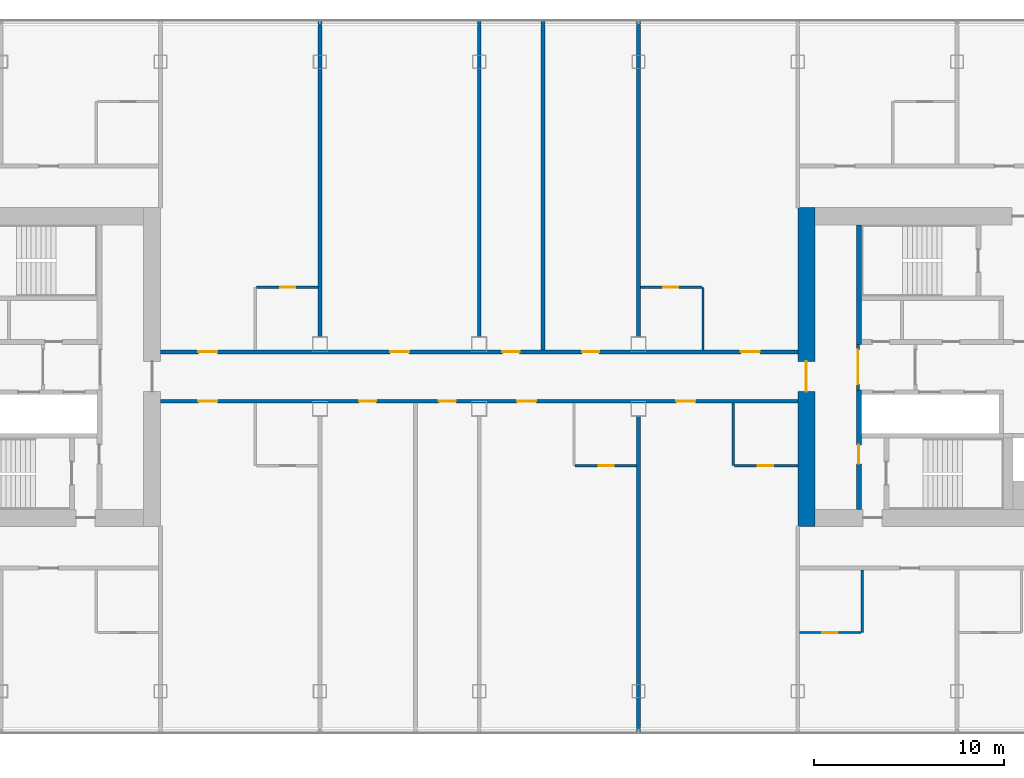
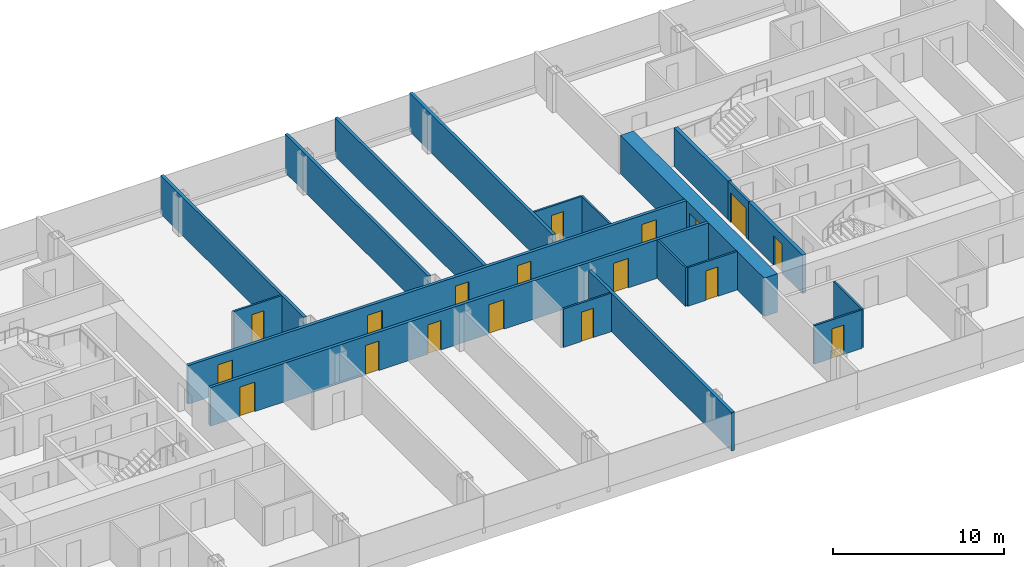
# One storey, part 14 of 26: 19 walls, 18 doors, 18 openings.
"""IFC4 building model written with IfcOpenShell, lengths in metres."""

from ifc_helpers import new_model, si_unit, direction, frame, frame_2d, origin, place, context, subcontext, project, spatial, rectangle, extrude, material, layer, layer_set, type_object, element, fill, save


model = new_model("IFC4")

# Units and contexts
model_context = context("Model", 3, precision=1e-05, world=origin(), true_north=direction((0.0, 1.0)))
body_context = subcontext(model_context, "Body", "Model", "MODEL_VIEW")
ifc_project = project(units=[si_unit("LENGTHUNIT", "METRE"), si_unit("AREAUNIT", "SQUARE_METRE"), si_unit("VOLUMEUNIT", "CUBIC_METRE"), si_unit("PLANEANGLEUNIT", "RADIAN"), si_unit("MASSUNIT", "GRAM", prefix="KILO")], contexts=[model_context])

# Site, building, storey
site_placement = place(None, origin())
site = spatial("IfcSite", under=ifc_project, at=site_placement, CompositionType="ELEMENT")
building_placement = place(site_placement, origin())
building = spatial("IfcBuilding", under=site, at=building_placement, Name="Hakoniwa Tower and Hamabe Station Hall", CompositionType="ELEMENT")
storey_placement = place(building_placement, frame((0.0, 0.0, 131.0)))
storey = spatial("IfcBuildingStorey", under=building, at=storey_placement, Name="L36", CompositionType="ELEMENT", Elevation=131.0)

# Wall, opening, door
ifc_material_1 = material(Name="Gypsum board partition", Category="gypsum")
ifc_layer_1 = layer(ifc_material_1, 0.125)
ifc_layer_set_1 = layer_set([ifc_layer_1], Name="Bathroom Partition 125")
wall_type_1 = type_object("IfcWallType", Name="Bathroom Partition 125", PredefinedType="PARTITIONING", material=ifc_layer_set_1)
wall_1_placement = place(storey_placement, frame((16.89990234375, -14.0, 0.0), z_axis=(0.0, 0.0, 1.0), x_axis=(1.0, 0.0, 0.0)))
wall_1 = element("IfcWall", 1, at=wall_1_placement, inside=storey, type_object=wall_type_1, Name="GW-L36-004", PredefinedType="PARTITIONING", context=body_context, shape_type="SweptSolid", body=[
    extrude(rectangle(XDim=3.237548828125, YDim=0.125, at=frame_2d((1.61865234375, 0.0))), origin(), (0.0, 0.0, 1.0), 2.75),
])
opening_1_placement = place(wall_1_placement, frame((1.199951171875, 0.0, 0.0)))
opening_1 = element("IfcOpeningElement", 2, at=opening_1_placement, cuts=wall_1, Name="Opening GD-G3A0-04", PredefinedType="OPENING", context=body_context, shape_type="SweptSolid", body=[
    extrude(rectangle(XDim=0.800048828125, YDim=2.10009765625, at=frame_2d((0.39990234375, 1.050048828125))), frame((0.0, 0.072509765625, 0.0), z_axis=(0.0, -1.0, 0.0), x_axis=(1.0, 0.0, 0.0)), (0.0, 0.0, 1.0), 0.14501953125),
])
ifc_material_2 = material(Name="Timber door leaf", Category="wood")
door_type_1 = type_object("IfcDoorType", Name="Bathroom Door 800", OperationType="SINGLE_SWING_LEFT", PredefinedType="DOOR", material=ifc_material_2)
door_1_placement = place(opening_1_placement, origin())
door_1 = element("IfcDoor", 3, at=door_1_placement, inside=storey, type_object=door_type_1, Name="Door GD-G3A0-04", OperationType="SINGLE_SWING_RIGHT", OverallHeight=2.10009765625, OverallWidth=0.800048828125, PredefinedType="DOOR", context=body_context, shape_type="SweptSolid", body=[
    extrude(rectangle(XDim=0.800048828125, YDim=2.10009765625, at=frame_2d((0.39990234375, 1.050048828125))), frame((0.0, 0.02490234375, 0.0), z_axis=(0.0, -1.0, 0.0), x_axis=(1.0, 0.0, 0.0)), (0.0, 0.0, 1.0), 0.050048828125),
])
fill(opening_1, door_1)

wall_2_placement = place(storey_placement, frame((5.0625, -5.199951171875, 0.0), z_axis=(0.0, 0.0, 1.0), x_axis=(1.0, 0.0, 0.0)))
wall_2 = element("IfcWall", 4, at=wall_2_placement, inside=storey, type_object=wall_type_1, Name="GW-L36-012", PredefinedType="PARTITIONING", context=body_context, shape_type="SweptSolid", body=[
    extrude(rectangle(XDim=3.237548828125, YDim=0.125, at=frame_2d((1.61865234375, 0.0))), origin(), (0.0, 0.0, 1.0), 2.75),
])
opening_2_placement = place(wall_2_placement, frame((1.237548828125, 0.0, 0.0)))
opening_2 = element("IfcOpeningElement", 5, at=opening_2_placement, cuts=wall_2, Name="Opening GD-G3A0-18", PredefinedType="OPENING", context=body_context, shape_type="SweptSolid", body=[
    extrude(rectangle(XDim=0.800048828125, YDim=2.10009765625, at=frame_2d((0.39990234375, 1.050048828125))), frame((0.0, 0.072509765625, 0.0), z_axis=(0.0, -1.0, 0.0), x_axis=(1.0, 0.0, 0.0)), (0.0, 0.0, 1.0), 0.14501953125),
])
door_2_placement = place(opening_2_placement, origin())
door_2 = element("IfcDoor", 6, at=door_2_placement, inside=storey, type_object=door_type_1, Name="Door GD-G3A0-18", OperationType="SINGLE_SWING_LEFT", OverallHeight=2.10009765625, OverallWidth=0.800048828125, PredefinedType="DOOR", context=body_context, shape_type="SweptSolid", body=[
    extrude(rectangle(XDim=0.800048828125, YDim=2.10009765625, at=frame_2d((0.39990234375, 1.050048828125))), frame((0.0, 0.02490234375, 0.0), z_axis=(0.0, -1.0, 0.0), x_axis=(1.0, 0.0, 0.0)), (0.0, 0.0, 1.0), 0.050048828125),
])
fill(opening_2, door_2)

wall_3_placement = place(storey_placement, frame((13.46240234375, -5.199951171875, 0.0), z_axis=(0.0, 0.0, 1.0), x_axis=(1.0, 0.0, 0.0)))
wall_3 = element("IfcWall", 7, at=wall_3_placement, inside=storey, type_object=wall_type_1, Name="GW-L36-013", PredefinedType="PARTITIONING", context=body_context, shape_type="SweptSolid", body=[
    extrude(rectangle(XDim=3.34765625, YDim=0.125, at=frame_2d((1.673828125, 0.0))), origin(), (0.0, 0.0, 1.0), 2.75),
])
opening_3_placement = place(wall_3_placement, frame((1.237548828125, 0.0, 0.0)))
opening_3 = element("IfcOpeningElement", 8, at=opening_3_placement, cuts=wall_3, Name="Opening GD-G3A0-19", PredefinedType="OPENING", context=body_context, shape_type="SweptSolid", body=[
    extrude(rectangle(XDim=0.800048828125, YDim=2.10009765625, at=frame_2d((0.39990234375, 1.050048828125))), frame((0.0, 0.072509765625, 0.0), z_axis=(0.0, -1.0, 0.0), x_axis=(1.0, 0.0, 0.0)), (0.0, 0.0, 1.0), 0.14501953125),
])
door_3_placement = place(opening_3_placement, origin())
door_3 = element("IfcDoor", 9, at=door_3_placement, inside=storey, type_object=door_type_1, Name="Door GD-G3A0-19", OperationType="SINGLE_SWING_RIGHT", OverallHeight=2.10009765625, OverallWidth=0.800048828125, PredefinedType="DOOR", context=body_context, shape_type="SweptSolid", body=[
    extrude(rectangle(XDim=0.800048828125, YDim=2.10009765625, at=frame_2d((0.39990234375, 1.050048828125))), frame((0.0, 0.02490234375, 0.0), z_axis=(0.0, -1.0, 0.0), x_axis=(1.0, 0.0, 0.0)), (0.0, 0.0, 1.0), 0.050048828125),
])
fill(opening_3, door_3)

wall_4_placement = place(storey_placement, frame((-11.737548828125, 4.199951171875, 0.0), z_axis=(0.0, 0.0, 1.0), x_axis=(1.0, 0.0, 0.0)))
wall_4 = element("IfcWall", 10, at=wall_4_placement, inside=storey, type_object=wall_type_1, Name="GW-L36-018", PredefinedType="PARTITIONING", context=body_context, shape_type="SweptSolid", body=[
    extrude(rectangle(XDim=3.237548828125, YDim=0.125, at=frame_2d((1.61865234375, 0.0))), origin(), (0.0, 0.0, 1.0), 2.75),
])
opening_4_placement = place(wall_4_placement, frame((1.237548828125, 0.0, 0.0)))
opening_4 = element("IfcOpeningElement", 11, at=opening_4_placement, cuts=wall_4, Name="Opening GD-G3A0-30", PredefinedType="OPENING", context=body_context, shape_type="SweptSolid", body=[
    extrude(rectangle(XDim=0.800048828125, YDim=2.10009765625, at=frame_2d((0.39990234375, 1.050048828125))), frame((0.0, 0.072509765625, 0.0), z_axis=(0.0, -1.0, 0.0), x_axis=(1.0, 0.0, 0.0)), (0.0, 0.0, 1.0), 0.14501953125),
])
door_4_placement = place(opening_4_placement, origin())
door_4 = element("IfcDoor", 12, at=door_4_placement, inside=storey, type_object=door_type_1, Name="Door GD-G3A0-30", OperationType="SINGLE_SWING_RIGHT", OverallHeight=2.10009765625, OverallWidth=0.800048828125, PredefinedType="DOOR", context=body_context, shape_type="SweptSolid", body=[
    extrude(rectangle(XDim=0.800048828125, YDim=2.10009765625, at=frame_2d((0.39990234375, 1.050048828125))), frame((0.0, 0.02490234375, 0.0), z_axis=(0.0, -1.0, 0.0), x_axis=(1.0, 0.0, 0.0)), (0.0, 0.0, 1.0), 0.050048828125),
])
fill(opening_4, door_4)

wall_5_placement = place(storey_placement, frame((8.5, 4.199951171875, 0.0), z_axis=(0.0, 0.0, 1.0), x_axis=(1.0, 0.0, 0.0)))
wall_5 = element("IfcWall", 13, at=wall_5_placement, inside=storey, type_object=wall_type_1, Name="GW-L36-019", PredefinedType="PARTITIONING", context=body_context, shape_type="SweptSolid", body=[
    extrude(rectangle(XDim=3.237548828125, YDim=0.125, at=frame_2d((1.61865234375, 0.0))), origin(), (0.0, 0.0, 1.0), 2.75),
])
opening_5_placement = place(wall_5_placement, frame((1.199951171875, 0.0, 0.0)))
opening_5 = element("IfcOpeningElement", 14, at=opening_5_placement, cuts=wall_5, Name="Opening GD-G3A0-31", PredefinedType="OPENING", context=body_context, shape_type="SweptSolid", body=[
    extrude(rectangle(XDim=0.800048828125, YDim=2.10009765625, at=frame_2d((0.39990234375, 1.050048828125))), frame((0.0, 0.072509765625, 0.0), z_axis=(0.0, -1.0, 0.0), x_axis=(1.0, 0.0, 0.0)), (0.0, 0.0, 1.0), 0.14501953125),
])
door_5_placement = place(opening_5_placement, origin())
door_5 = element("IfcDoor", 15, at=door_5_placement, inside=storey, type_object=door_type_1, Name="Door GD-G3A0-31", OperationType="SINGLE_SWING_LEFT", OverallHeight=2.10009765625, OverallWidth=0.800048828125, PredefinedType="DOOR", context=body_context, shape_type="SweptSolid", body=[
    extrude(rectangle(XDim=0.800048828125, YDim=2.10009765625, at=frame_2d((0.39990234375, 1.050048828125))), frame((0.0, 0.02490234375, 0.0), z_axis=(0.0, -1.0, 0.0), x_axis=(1.0, 0.0, 0.0)), (0.0, 0.0, 1.0), 0.050048828125),
])
fill(opening_5, door_5)

# Walls
for number, where, z_axis, x_axis, name in (
    (16, (11.800048828125, 0.89990234375, 0.0), (0.0, 0.0, 1.0), (0.0, 1.0, 0.0), "GW-L36-056"),
    (17, (13.39990234375, -5.199951171875, 0.0), (0.0, 0.0, 1.0), (0.0, 1.0, 0.0), "GW-L36-057"),
    (18, (20.199951171875, -14.0, 0.0), (0.0, 0.0, 1.0), (0.0, 1.0, 0.0), "GW-L36-060"),
):
    element("IfcWall", number, at=place(storey_placement, frame(where, z_axis=z_axis, x_axis=x_axis)), inside=storey, type_object=wall_type_1, Name=name, PredefinedType="PARTITIONING", context=body_context, shape_type="SweptSolid", body=[
        extrude(rectangle(XDim=3.300048828125, YDim=0.125, at=frame_2d((1.64990234375, 0.0))), origin(), (0.0, 0.0, 1.0), 2.75),
    ])

# Wall, opening, door
ifc_material_3 = material(Name="Gypsum board partition")
ifc_layer_2 = layer(ifc_material_3, 0.14990234375)
ifc_layer_set_2 = layer_set([ifc_layer_2], Name="CORE PARTITION 150 EI 60")
wall_type_2 = type_object("IfcWallType", Name="CORE PARTITION 150 EI 60", PredefinedType="PARTITIONING", material=ifc_layer_set_2)
wall_6_placement = place(storey_placement, frame((19.97509765625, -1.199951171875, 0.0), z_axis=(0.0, 0.0, 1.0), x_axis=(0.0, 1.0, 0.0)))
wall_6 = element("IfcWall", 19, at=wall_6_placement, inside=storey, type_object=wall_type_2, Name="Core partition PL0 east", PredefinedType="PARTITIONING", context=body_context, shape_type="SweptSolid", body=[
    extrude(rectangle(XDim=2.39990234375, YDim=0.14990234375, at=frame_2d((1.199951171875, 0.0))), origin(), (0.0, 0.0, 1.0), 2.75),
])
opening_6_placement = place(wall_6_placement, frame((0.300048828125, 0.0, 0.0)))
opening_6 = element("IfcOpeningElement", 20, at=opening_6_placement, cuts=wall_6, Name="Opening CD-E-LP0-18", PredefinedType="OPENING", context=body_context, shape_type="SweptSolid", body=[
    extrude(rectangle(XDim=1.800048828125, YDim=2.10009765625, at=frame_2d((0.89990234375, 1.050048828125))), frame((0.0, 0.0849609375, 0.0), z_axis=(0.0, -1.0, 0.0), x_axis=(1.0, 0.0, 0.0)), (0.0, 0.0, 1.0), 0.169921875),
])
ifc_material_4 = material(Name="Steel fire door", Category="steel")
door_type_2 = type_object("IfcDoorType", Name="CORE DOOR 1800 FD60", OperationType="DOUBLE_DOOR_SINGLE_SWING", PredefinedType="DOOR", material=ifc_material_4)
door_6_placement = place(opening_6_placement, origin())
door_6 = element("IfcDoor", 21, at=door_6_placement, inside=storey, type_object=door_type_2, Name="Lift lobby partition door", OperationType="DOUBLE_DOOR_SINGLE_SWING", OverallHeight=2.10009765625, OverallWidth=1.800048828125, PredefinedType="DOOR", context=body_context, shape_type="SweptSolid", body=[
    extrude(rectangle(XDim=1.800048828125, YDim=2.10009765625, at=frame_2d((0.89990234375, 1.050048828125))), frame((0.0, 0.02490234375, 0.0), z_axis=(0.0, -1.0, 0.0), x_axis=(1.0, 0.0, 0.0)), (0.0, 0.0, 1.0), 0.050048828125),
])
fill(opening_6, door_6)

ifc_material_5 = material(Name="Concrete C66", Category="concrete")
ifc_layer_3 = layer(ifc_material_5, 0.89990234375)
ifc_layer_set_3 = layer_set([ifc_layer_3], Name="CORE WALL 900 C66")
wall_type_3 = type_object("IfcWallType", Name="CORE WALL 900 C66", PredefinedType="SHEAR", material=ifc_layer_set_3)
wall_7_placement = place(storey_placement, frame((17.25, -8.39990234375, 0.0), z_axis=(0.0, 0.0, 1.0), x_axis=(0.0, 1.0, 0.0)))
wall_7 = element("IfcWall", 22, at=wall_7_placement, inside=storey, type_object=wall_type_3, Name="Core wall INNER east", PredefinedType="SHEAR", context=body_context, shape_type="SweptSolid", body=[
    extrude(rectangle(XDim=16.7998046875, YDim=0.89990234375, at=frame_2d((8.39990234375, 0.0))), origin(), (0.0, 0.0, 1.0), 2.75),
])
opening_7_placement = place(wall_7_placement, frame((7.10009765625, 0.0, 0.0)))
opening_7 = element("IfcOpeningElement", 23, at=opening_7_placement, cuts=wall_7, Name="Opening CD-E-IN1-16", PredefinedType="OPENING", context=body_context, shape_type="SweptSolid", body=[
    extrude(rectangle(XDim=1.60009765625, YDim=2.10009765625, at=frame_2d((0.800048828125, 1.050048828125))), frame((0.0, 0.4599609375, 0.0), z_axis=(0.0, -1.0, 0.0), x_axis=(1.0, 0.0, 0.0)), (0.0, 0.0, 1.0), 0.919921875),
])
ifc_material_6 = material(Name="Steel fire door", Category="steel")
door_type_3 = type_object("IfcDoorType", Name="CORE DOOR 1600 FD60", OperationType="DOUBLE_DOOR_SINGLE_SWING", PredefinedType="DOOR", material=ifc_material_6)
door_7_placement = place(opening_7_placement, origin())
door_7 = element("IfcDoor", 24, at=door_7_placement, inside=storey, type_object=door_type_3, Name="Lift lobby door", OperationType="DOUBLE_DOOR_SINGLE_SWING", OverallHeight=2.10009765625, OverallWidth=1.60009765625, PredefinedType="DOOR", context=body_context, shape_type="SweptSolid", body=[
    extrude(rectangle(XDim=1.60009765625, YDim=2.10009765625, at=frame_2d((0.800048828125, 1.050048828125))), frame((0.0, 0.02490234375, 0.0), z_axis=(0.0, -1.0, 0.0), x_axis=(1.0, 0.0, 0.0)), (0.0, 0.0, 1.0), 0.050048828125),
])
fill(opening_7, door_7)

# Wall
ifc_material_7 = material(Name="Concrete C66", Category="concrete")
ifc_layer_4 = layer(ifc_material_7, 0.25)
ifc_layer_set_4 = layer_set([ifc_layer_4], Name="CORE WEB WALL 250 C66")
wall_type_4 = type_object("IfcWallType", Name="CORE WEB WALL 250 C66", PredefinedType="SHEAR", material=ifc_layer_set_4)
wall_8_placement = place(storey_placement, frame((20.02490234375, 1.199951171875, 0.0), z_axis=(0.0, 0.0, 1.0), x_axis=(0.0, 1.0, 0.0)))
element("IfcWall", 25, at=wall_8_placement, inside=storey, type_object=wall_type_4, Name="Core wall W1N east", PredefinedType="SHEAR", context=body_context, shape_type="SweptSolid", body=[
    extrude(rectangle(XDim=6.300048828125, YDim=0.25, at=frame_2d((3.14990234375, 0.0))), origin(), (0.0, 0.0, 1.0), 2.75),
])

# Wall, opening, door
wall_9_placement = place(storey_placement, frame((20.02490234375, -7.5, 0.0), z_axis=(0.0, 0.0, 1.0), x_axis=(0.0, 1.0, 0.0)))
wall_9 = element("IfcWall", 26, at=wall_9_placement, inside=storey, type_object=wall_type_4, Name="Core wall W1S east", PredefinedType="SHEAR", context=body_context, shape_type="SweptSolid", body=[
    extrude(rectangle(XDim=6.300048828125, YDim=0.25, at=frame_2d((3.14990234375, 0.0))), origin(), (0.0, 0.0, 1.0), 2.75),
])
opening_8_placement = place(wall_9_placement, frame((2.39990234375, 0.0, 0.0)))
opening_8 = element("IfcOpeningElement", 27, at=opening_8_placement, cuts=wall_9, Name="Opening CD-E-VS-10", PredefinedType="OPENING", context=body_context, shape_type="SweptSolid", body=[
    extrude(rectangle(XDim=1.0, YDim=2.10009765625, at=frame_2d((0.5, 1.050048828125))), frame((0.0, 0.135009765625, 0.0), z_axis=(0.0, -1.0, 0.0), x_axis=(1.0, 0.0, 0.0)), (0.0, 0.0, 1.0), 0.27001953125),
])
ifc_material_8 = material(Name="Steel fire door", Category="steel")
door_type_4 = type_object("IfcDoorType", Name="CORE DOOR 1000 FD60", OperationType="NOTDEFINED", PredefinedType="DOOR", material=ifc_material_8)
door_8_placement = place(opening_8_placement, origin())
door_8 = element("IfcDoor", 28, at=door_8_placement, inside=storey, type_object=door_type_4, Name="Stair vestibule door", OperationType="SINGLE_SWING_RIGHT", OverallHeight=2.10009765625, OverallWidth=1.0, PredefinedType="DOOR", context=body_context, shape_type="SweptSolid", body=[
    extrude(rectangle(XDim=1.0, YDim=2.10009765625, at=frame_2d((0.5, 1.050048828125))), frame((0.0, 0.02490234375, 0.0), z_axis=(0.0, -1.0, 0.0), x_axis=(1.0, 0.0, 0.0)), (0.0, 0.0, 1.0), 0.050048828125),
])
fill(opening_8, door_8)

# Wall, openings, doors
ifc_material_9 = material(Name="Fire-rated gypsum board partition", Category="gypsum")
ifc_layer_5 = layer(ifc_material_9, 0.199951171875)
ifc_layer_set_5 = layer_set([ifc_layer_5], Name="Corridor Wall 200")
wall_type_5 = type_object("IfcWallType", Name="Corridor Wall 200", PredefinedType="PARTITIONING", material=ifc_layer_set_5)
wall_10_placement = place(storey_placement, frame((-16.800048828125, -1.800048828125, 0.0), z_axis=(0.0, 0.0, 1.0), x_axis=(1.0, 0.0, 0.0)))
wall_10 = element("IfcWall", 29, at=wall_10_placement, inside=storey, type_object=wall_type_5, Name="GW-L36-014", PredefinedType="PARTITIONING", context=body_context, shape_type="SweptSolid", body=[
    extrude(rectangle(XDim=33.60009765625, YDim=0.199951171875, at=frame_2d((16.800048828125, 0.0))), origin(), (0.0, 0.0, 1.0), 2.75),
])
opening_9_placement = place(wall_10_placement, frame((2.0, 0.0, 0.0)))
opening_9 = element("IfcOpeningElement", 30, at=opening_9_placement, cuts=wall_10, Name="Opening GD-G3A0-20", PredefinedType="OPENING", context=body_context, shape_type="SweptSolid", body=[
    extrude(rectangle(XDim=1.0, YDim=2.10009765625, at=frame_2d((0.5, 1.050048828125))), frame((0.0, 0.10986328125, 0.0), z_axis=(0.0, -1.0, 0.0), x_axis=(1.0, 0.0, 0.0)), (0.0, 0.0, 1.0), 0.219970703125),
])
opening_10_placement = place(wall_10_placement, frame((10.469970703125, 0.0, 0.0)))
opening_10 = element("IfcOpeningElement", 31, at=opening_10_placement, cuts=wall_10, Name="Opening GD-G3A0-21", PredefinedType="OPENING", context=body_context, shape_type="SweptSolid", body=[
    extrude(rectangle(XDim=0.89990234375, YDim=2.10009765625, at=frame_2d((0.449951171875, 1.050048828125))), frame((0.0, 0.10986328125, 0.0), z_axis=(0.0, -1.0, 0.0), x_axis=(1.0, 0.0, 0.0)), (0.0, 0.0, 1.0), 0.219970703125),
])
opening_11_placement = place(wall_10_placement, frame((14.669921875, 0.0, 0.0)))
opening_11 = element("IfcOpeningElement", 32, at=opening_11_placement, cuts=wall_10, Name="Opening GD-G3A0-22", PredefinedType="OPENING", context=body_context, shape_type="SweptSolid", body=[
    extrude(rectangle(XDim=0.89990234375, YDim=2.10009765625, at=frame_2d((0.449951171875, 1.050048828125))), frame((0.0, 0.10986328125, 0.0), z_axis=(0.0, -1.0, 0.0), x_axis=(1.0, 0.0, 0.0)), (0.0, 0.0, 1.0), 0.219970703125),
])
opening_12_placement = place(wall_10_placement, frame((18.800048828125, 0.0, 0.0)))
opening_12 = element("IfcOpeningElement", 33, at=opening_12_placement, cuts=wall_10, Name="Opening GD-G3A0-23", PredefinedType="OPENING", context=body_context, shape_type="SweptSolid", body=[
    extrude(rectangle(XDim=1.0, YDim=2.10009765625, at=frame_2d((0.5, 1.050048828125))), frame((0.0, 0.10986328125, 0.0), z_axis=(0.0, -1.0, 0.0), x_axis=(1.0, 0.0, 0.0)), (0.0, 0.0, 1.0), 0.219970703125),
])
opening_13_placement = place(wall_10_placement, frame((27.199951171875, 0.0, 0.0)))
opening_13 = element("IfcOpeningElement", 34, at=opening_13_placement, cuts=wall_10, Name="Opening GD-G3A0-24", PredefinedType="OPENING", context=body_context, shape_type="SweptSolid", body=[
    extrude(rectangle(XDim=1.0, YDim=2.10009765625, at=frame_2d((0.5, 1.050048828125))), frame((0.0, 0.10986328125, 0.0), z_axis=(0.0, -1.0, 0.0), x_axis=(1.0, 0.0, 0.0)), (0.0, 0.0, 1.0), 0.219970703125),
])
ifc_material_10 = material(Name="Timber door leaf", Category="wood")
door_type_5 = type_object("IfcDoorType", Name="Guest Entrance Door 1000", OperationType="SINGLE_SWING_LEFT", PredefinedType="DOOR", material=ifc_material_10)
door_9_placement = place(opening_9_placement, origin())
door_9 = element("IfcDoor", 35, at=door_9_placement, inside=storey, type_object=door_type_5, Name="Door GD-G3A0-20", OperationType="SINGLE_SWING_LEFT", OverallHeight=2.10009765625, OverallWidth=1.0, PredefinedType="DOOR", context=body_context, shape_type="SweptSolid", body=[
    extrude(rectangle(XDim=1.0, YDim=2.10009765625, at=frame_2d((0.5, 1.050048828125))), frame((0.0, 0.02490234375, 0.0), z_axis=(0.0, -1.0, 0.0), x_axis=(1.0, 0.0, 0.0)), (0.0, 0.0, 1.0), 0.050048828125),
])
fill(opening_9, door_9)
door_10_placement = place(opening_12_placement, origin())
door_10 = element("IfcDoor", 36, at=door_10_placement, inside=storey, type_object=door_type_5, Name="Door GD-G3A0-23", OperationType="SINGLE_SWING_RIGHT", OverallHeight=2.10009765625, OverallWidth=1.0, PredefinedType="DOOR", context=body_context, shape_type="SweptSolid", body=[
    extrude(rectangle(XDim=1.0, YDim=2.10009765625, at=frame_2d((0.5, 1.050048828125))), frame((0.0, 0.02490234375, 0.0), z_axis=(0.0, -1.0, 0.0), x_axis=(1.0, 0.0, 0.0)), (0.0, 0.0, 1.0), 0.050048828125),
])
fill(opening_12, door_10)
door_11_placement = place(opening_13_placement, origin())
door_11 = element("IfcDoor", 37, at=door_11_placement, inside=storey, type_object=door_type_5, Name="Door GD-G3A0-24", OperationType="SINGLE_SWING_LEFT", OverallHeight=2.10009765625, OverallWidth=1.0, PredefinedType="DOOR", context=body_context, shape_type="SweptSolid", body=[
    extrude(rectangle(XDim=1.0, YDim=2.10009765625, at=frame_2d((0.5, 1.050048828125))), frame((0.0, 0.02490234375, 0.0), z_axis=(0.0, -1.0, 0.0), x_axis=(1.0, 0.0, 0.0)), (0.0, 0.0, 1.0), 0.050048828125),
])
fill(opening_13, door_11)
ifc_material_11 = material(Name="Timber door leaf", Category="wood")
door_type_6 = type_object("IfcDoorType", Name="Service Door 900", OperationType="SINGLE_SWING_LEFT", PredefinedType="DOOR", material=ifc_material_11)
door_12_placement = place(opening_10_placement, origin())
door_12 = element("IfcDoor", 38, at=door_12_placement, inside=storey, type_object=door_type_6, Name="Door GD-G3A0-21", OperationType="SINGLE_SWING_RIGHT", OverallHeight=2.10009765625, OverallWidth=0.89990234375, PredefinedType="DOOR", context=body_context, shape_type="SweptSolid", body=[
    extrude(rectangle(XDim=0.89990234375, YDim=2.10009765625, at=frame_2d((0.449951171875, 1.050048828125))), frame((0.0, 0.02490234375, 0.0), z_axis=(0.0, -1.0, 0.0), x_axis=(1.0, 0.0, 0.0)), (0.0, 0.0, 1.0), 0.050048828125),
])
fill(opening_10, door_12)
door_13_placement = place(opening_11_placement, origin())
door_13 = element("IfcDoor", 39, at=door_13_placement, inside=storey, type_object=door_type_6, Name="Door GD-G3A0-22", OperationType="SINGLE_SWING_LEFT", OverallHeight=2.10009765625, OverallWidth=0.89990234375, PredefinedType="DOOR", context=body_context, shape_type="SweptSolid", body=[
    extrude(rectangle(XDim=0.89990234375, YDim=2.10009765625, at=frame_2d((0.449951171875, 1.050048828125))), frame((0.0, 0.02490234375, 0.0), z_axis=(0.0, -1.0, 0.0), x_axis=(1.0, 0.0, 0.0)), (0.0, 0.0, 1.0), 0.050048828125),
])
fill(opening_11, door_13)

wall_11_placement = place(storey_placement, frame((-16.800048828125, 0.800048828125, 0.0), z_axis=(0.0, 0.0, 1.0), x_axis=(1.0, 0.0, 0.0)))
wall_11 = element("IfcWall", 40, at=wall_11_placement, inside=storey, type_object=wall_type_5, Name="GW-L36-017", PredefinedType="PARTITIONING", context=body_context, shape_type="SweptSolid", body=[
    extrude(rectangle(XDim=33.60009765625, YDim=0.199951171875, at=frame_2d((16.800048828125, 0.0))), origin(), (0.0, 0.0, 1.0), 2.75),
])
opening_14_placement = place(wall_11_placement, frame((2.0, 0.0, 0.0)))
opening_14 = element("IfcOpeningElement", 41, at=opening_14_placement, cuts=wall_11, Name="Opening GD-G3A0-25", PredefinedType="OPENING", context=body_context, shape_type="SweptSolid", body=[
    extrude(rectangle(XDim=1.0, YDim=2.10009765625, at=frame_2d((0.5, 1.050048828125))), frame((0.0, 0.10986328125, 0.0), z_axis=(0.0, -1.0, 0.0), x_axis=(1.0, 0.0, 0.0)), (0.0, 0.0, 1.0), 0.219970703125),
])
opening_15_placement = place(wall_11_placement, frame((12.10009765625, 0.0, 0.0)))
opening_15 = element("IfcOpeningElement", 42, at=opening_15_placement, cuts=wall_11, Name="Opening GD-G3A0-26", PredefinedType="OPENING", context=body_context, shape_type="SweptSolid", body=[
    extrude(rectangle(XDim=1.0, YDim=2.10009765625, at=frame_2d((0.5, 1.050048828125))), frame((0.0, 0.10986328125, 0.0), z_axis=(0.0, -1.0, 0.0), x_axis=(1.0, 0.0, 0.0)), (0.0, 0.0, 1.0), 0.219970703125),
])
opening_16_placement = place(wall_11_placement, frame((18.030029296875, 0.0, 0.0)))
opening_16 = element("IfcOpeningElement", 43, at=opening_16_placement, cuts=wall_11, Name="Opening GD-G3A0-27", PredefinedType="OPENING", context=body_context, shape_type="SweptSolid", body=[
    extrude(rectangle(XDim=0.89990234375, YDim=2.10009765625, at=frame_2d((0.449951171875, 1.050048828125))), frame((0.0, 0.10986328125, 0.0), z_axis=(0.0, -1.0, 0.0), x_axis=(1.0, 0.0, 0.0)), (0.0, 0.0, 1.0), 0.219970703125),
])
opening_17_placement = place(wall_11_placement, frame((22.22998046875, 0.0, 0.0)))
opening_17 = element("IfcOpeningElement", 44, at=opening_17_placement, cuts=wall_11, Name="Opening GD-G3A0-28", PredefinedType="OPENING", context=body_context, shape_type="SweptSolid", body=[
    extrude(rectangle(XDim=0.89990234375, YDim=2.10009765625, at=frame_2d((0.449951171875, 1.050048828125))), frame((0.0, 0.10986328125, 0.0), z_axis=(0.0, -1.0, 0.0), x_axis=(1.0, 0.0, 0.0)), (0.0, 0.0, 1.0), 0.219970703125),
])
opening_18_placement = place(wall_11_placement, frame((30.60009765625, 0.0, 0.0)))
opening_18 = element("IfcOpeningElement", 45, at=opening_18_placement, cuts=wall_11, Name="Opening GD-G3A0-29", PredefinedType="OPENING", context=body_context, shape_type="SweptSolid", body=[
    extrude(rectangle(XDim=1.0, YDim=2.10009765625, at=frame_2d((0.5, 1.050048828125))), frame((0.0, 0.10986328125, 0.0), z_axis=(0.0, -1.0, 0.0), x_axis=(1.0, 0.0, 0.0)), (0.0, 0.0, 1.0), 0.219970703125),
])
door_14_placement = place(opening_14_placement, origin())
door_14 = element("IfcDoor", 46, at=door_14_placement, inside=storey, type_object=door_type_5, Name="Door GD-G3A0-25", OperationType="SINGLE_SWING_LEFT", OverallHeight=2.10009765625, OverallWidth=1.0, PredefinedType="DOOR", context=body_context, shape_type="SweptSolid", body=[
    extrude(rectangle(XDim=1.0, YDim=2.10009765625, at=frame_2d((0.5, 1.050048828125))), frame((0.0, 0.02490234375, 0.0), z_axis=(0.0, -1.0, 0.0), x_axis=(1.0, 0.0, 0.0)), (0.0, 0.0, 1.0), 0.050048828125),
])
fill(opening_14, door_14)
door_15_placement = place(opening_15_placement, origin())
door_15 = element("IfcDoor", 47, at=door_15_placement, inside=storey, type_object=door_type_5, Name="Door GD-G3A0-26", OperationType="SINGLE_SWING_RIGHT", OverallHeight=2.10009765625, OverallWidth=1.0, PredefinedType="DOOR", context=body_context, shape_type="SweptSolid", body=[
    extrude(rectangle(XDim=1.0, YDim=2.10009765625, at=frame_2d((0.5, 1.050048828125))), frame((0.0, 0.02490234375, 0.0), z_axis=(0.0, -1.0, 0.0), x_axis=(1.0, 0.0, 0.0)), (0.0, 0.0, 1.0), 0.050048828125),
])
fill(opening_15, door_15)
door_16_placement = place(opening_18_placement, origin())
door_16 = element("IfcDoor", 48, at=door_16_placement, inside=storey, type_object=door_type_5, Name="Door GD-G3A0-29", OperationType="SINGLE_SWING_LEFT", OverallHeight=2.10009765625, OverallWidth=1.0, PredefinedType="DOOR", context=body_context, shape_type="SweptSolid", body=[
    extrude(rectangle(XDim=1.0, YDim=2.10009765625, at=frame_2d((0.5, 1.050048828125))), frame((0.0, 0.02490234375, 0.0), z_axis=(0.0, -1.0, 0.0), x_axis=(1.0, 0.0, 0.0)), (0.0, 0.0, 1.0), 0.050048828125),
])
fill(opening_18, door_16)
door_17_placement = place(opening_16_placement, origin())
door_17 = element("IfcDoor", 49, at=door_17_placement, inside=storey, type_object=door_type_6, Name="Door GD-G3A0-27", OperationType="SINGLE_SWING_LEFT", OverallHeight=2.10009765625, OverallWidth=0.89990234375, PredefinedType="DOOR", context=body_context, shape_type="SweptSolid", body=[
    extrude(rectangle(XDim=0.89990234375, YDim=2.10009765625, at=frame_2d((0.449951171875, 1.050048828125))), frame((0.0, 0.02490234375, 0.0), z_axis=(0.0, -1.0, 0.0), x_axis=(1.0, 0.0, 0.0)), (0.0, 0.0, 1.0), 0.050048828125),
])
fill(opening_16, door_17)
door_18_placement = place(opening_17_placement, origin())
door_18 = element("IfcDoor", 50, at=door_18_placement, inside=storey, type_object=door_type_6, Name="Door GD-G3A0-28", OperationType="SINGLE_SWING_RIGHT", OverallHeight=2.10009765625, OverallWidth=0.89990234375, PredefinedType="DOOR", context=body_context, shape_type="SweptSolid", body=[
    extrude(rectangle(XDim=0.89990234375, YDim=2.10009765625, at=frame_2d((0.449951171875, 1.050048828125))), frame((0.0, 0.02490234375, 0.0), z_axis=(0.0, -1.0, 0.0), x_axis=(1.0, 0.0, 0.0)), (0.0, 0.0, 1.0), 0.050048828125),
])
fill(opening_17, door_18)

# Walls
ifc_material_12 = material(Name="Fire-rated gypsum board partition", Category="gypsum")
ifc_layer_6 = layer(ifc_material_12, 0.199951171875)
ifc_layer_set_6 = layer_set([ifc_layer_6], Name="Party Wall 200")
wall_type_6 = type_object("IfcWallType", Name="Party Wall 200", PredefinedType="PARTITIONING", material=ifc_layer_set_6)
for number, where, z_axis, x_axis, name in (
    (51, (-8.39990234375, 1.590087890625, 0.0), (0.0, 0.0, 1.0), (0.0, 1.0, 0.0), "GW-L36-048"),
    (52, (0.0, 1.590087890625, 0.0), (0.0, 0.0, 1.0), (0.0, 1.0, 0.0), "GW-L36-051"),
):
    element("IfcWall", number, at=place(storey_placement, frame(where, z_axis=z_axis, x_axis=x_axis)), inside=storey, type_object=wall_type_6, Name=name, PredefinedType="PARTITIONING", context=body_context, shape_type="SweptSolid", body=[
        extrude(rectangle(XDim=16.7099609375, YDim=0.199951171875, at=frame_2d((8.35498046875, 0.0))), origin(), (0.0, 0.0, 1.0), 2.75),
    ])
wall_12_placement = place(storey_placement, frame((3.360107421875, 0.89990234375, 0.0), z_axis=(0.0, 0.0, 1.0), x_axis=(0.0, 1.0, 0.0)))
element("IfcWall", 53, at=wall_12_placement, inside=storey, type_object=wall_type_6, Name="GW-L36-052", PredefinedType="PARTITIONING", context=body_context, shape_type="SweptSolid", body=[
    extrude(rectangle(XDim=17.400146484375, YDim=0.199951171875, at=frame_2d((8.7001953125, 0.0))), origin(), (0.0, 0.0, 1.0), 2.75),
])
for number, where, z_axis, x_axis, name in (
    (54, (8.39990234375, -19.300048828125, 0.0), (0.0, 0.0, 1.0), (0.0, 1.0, 0.0), "GW-L36-054"),
    (55, (8.39990234375, 1.590087890625, 0.0), (0.0, 0.0, 1.0), (0.0, 1.0, 0.0), "GW-L36-055"),
):
    element("IfcWall", number, at=place(storey_placement, frame(where, z_axis=z_axis, x_axis=x_axis)), inside=storey, type_object=wall_type_6, Name=name, PredefinedType="PARTITIONING", context=body_context, shape_type="SweptSolid", body=[
        extrude(rectangle(XDim=16.7099609375, YDim=0.199951171875, at=frame_2d((8.35498046875, 0.0))), origin(), (0.0, 0.0, 1.0), 2.75),
    ])

save(model, "model.ifc")
